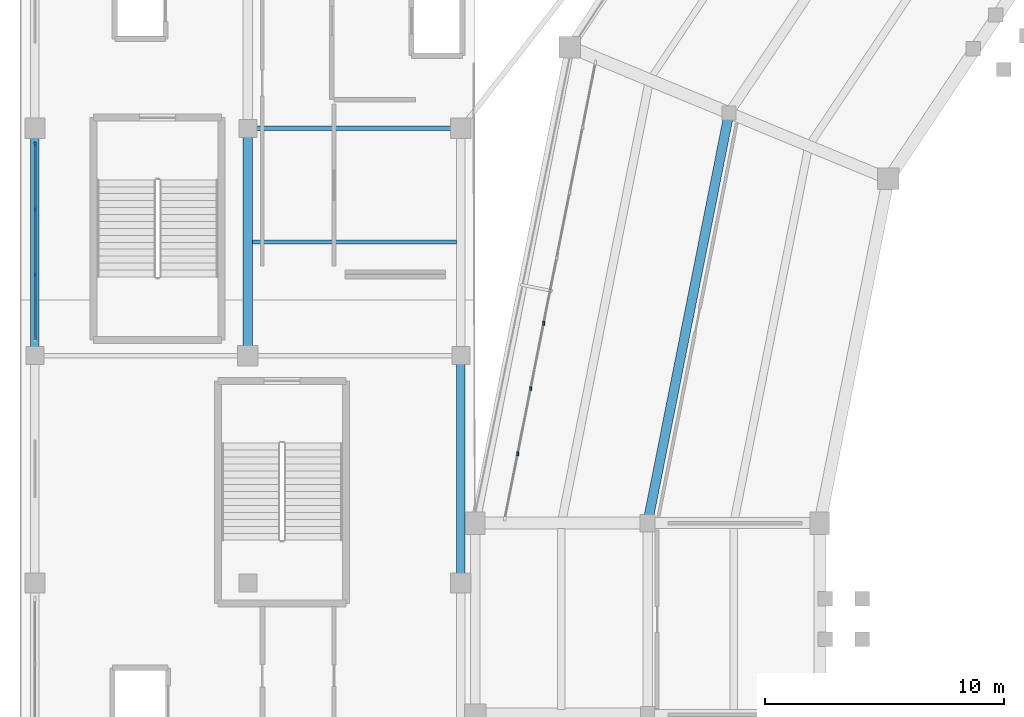
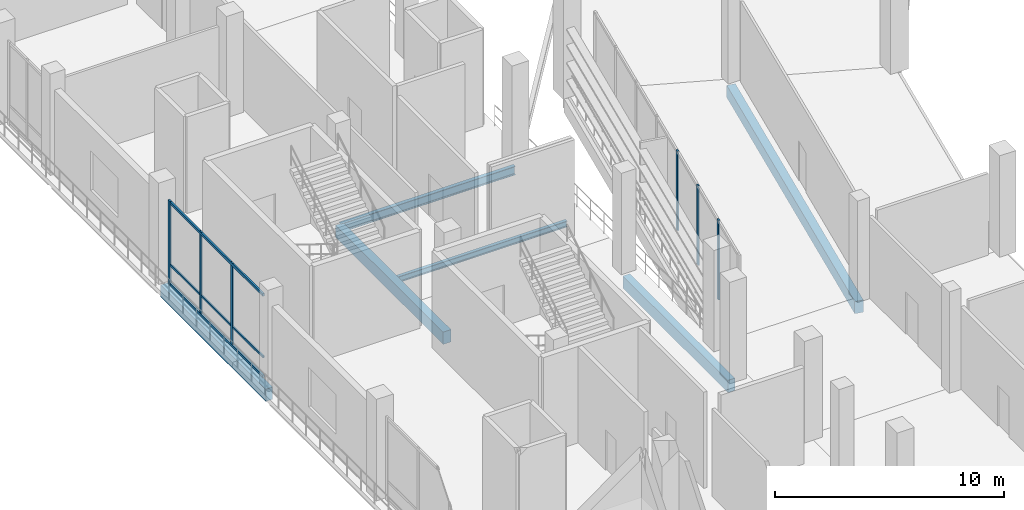
# One storey, part 29 of 114: 9 members, 6 beams, 2 elements without a shape of their own.
"""IFC4 building model written with IfcOpenShell, lengths in metres."""

from ifc_helpers import new_model, si_unit, direction, frame, origin, origin_2d, place, context, subcontext, project, spatial, rectangle, i_section, extrude, material, material_profile, profile_set, type_object, element, aggregate, save


model = new_model("IFC4")

# Units and contexts
model_context = context("Model", 3, precision=1e-05, world=origin(), true_north=direction((0.0, 1.0)))
body_context = subcontext(model_context, "Body", "Model", "MODEL_VIEW")
ifc_project = project(units=[si_unit("LENGTHUNIT", "METRE"), si_unit("AREAUNIT", "SQUARE_METRE"), si_unit("VOLUMEUNIT", "CUBIC_METRE"), si_unit("PLANEANGLEUNIT", "RADIAN"), si_unit("MASSUNIT", "GRAM", prefix="KILO")], contexts=[model_context])

# Site, building, storey
site_placement = place(None, origin())
site = spatial("IfcSite", under=ifc_project, at=site_placement, CompositionType="ELEMENT")
building_placement = place(site_placement, origin())
building = spatial("IfcBuilding", under=site, at=building_placement, Name="Candeia Ridge Stadium", CompositionType="ELEMENT")
storey_placement = place(building_placement, frame((0.0, 0.0, 5.39990234375)))
storey = spatial("IfcBuildingStorey", under=building, at=storey_placement, Name="L01", CompositionType="ELEMENT", Elevation=5.39990234375)

# Curtain wall, member
ifc_material_1 = material(Name="Aluminium Anodized Warm Bronze", Category="aluminium")
curtain_wall_type_1 = type_object("IfcCurtainWallType", Name="Cardinal Entrance Gate Tall Glazed Curtain Wall", PredefinedType="NOTDEFINED", material=ifc_material_1)
curtain_wall_1_placement = place(storey_placement, origin())
curtain_wall_1 = element("IfcCurtainWall", 1, at=curtain_wall_1_placement, inside=storey, type_object=curtain_wall_type_1, Name="Unitised curtain wall CW-WNG-L01-079", PredefinedType="NOTDEFINED")
ifc_material_profile_1 = material_profile(ifc_material_1, rectangle(XDim=0.090087890625, YDim=0.179931640625, at=origin_2d()), Name="CWM-90x180", Category="aluminium")
ifc_profile_set_1 = profile_set([ifc_material_profile_1], Name="Aluminium Anodized Warm Bronze")
member_type_1 = type_object("IfcMemberType", Name="Curtain Wall Primary Mullion 90x180", PredefinedType="MULLION", material=ifc_profile_set_1)
member_1_placement = place(storey_placement, frame((0.60009765625, 110.840087890625, 0.0), z_axis=(0.0, 0.0, 1.0), x_axis=(1.0, 0.0, 0.0)))
member_1 = element("IfcMember", 2, at=member_1_placement, type_object=member_type_1, Name="Curtain wall mullion CW-WNG-L01-079-M3", PredefinedType="MULLION", context=body_context, shape_type="SweptSolid", body=[
    extrude(rectangle(XDim=0.090087890625, YDim=0.179931640625, at=origin_2d()), origin(), (0.0, 0.0, 1.0), 4.47509765625),
])

# Curtain wall, members
curtain_wall_type_2 = type_object("IfcCurtainWallType", Name="Concourse Recessed Unitised Curtain Wall", PredefinedType="NOTDEFINED", material=ifc_material_1)
curtain_wall_2_placement = place(storey_placement, origin())
curtain_wall_2 = element("IfcCurtainWall", 3, at=curtain_wall_2_placement, inside=storey, type_object=curtain_wall_type_2, Name="Unitised curtain wall CW-BWL-L01-10", PredefinedType="NOTDEFINED")
ifc_material_profile_2 = material_profile(ifc_material_1, rectangle(XDim=0.074951171875, YDim=0.14990234375, at=origin_2d()), Name="CWM-75x150", Category="aluminium")
ifc_profile_set_2 = profile_set([ifc_material_profile_2], Name="Aluminium Anodized Warm Bronze")
member_type_2 = type_object("IfcMemberType", Name="Curtain Wall Secondary Mullion 75x150", PredefinedType="MULLION", material=ifc_profile_set_2)
member_2_placement = place(storey_placement, frame((21.8623046875, 103.356689453125, 0.0), z_axis=(0.0, 0.0, 1.0), x_axis=(1.0, 0.0, 0.0)))
member_2 = element("IfcMember", 4, at=member_2_placement, type_object=member_type_2, Name="Curtain wall mullion CW-BWL-L01-10-M4", PredefinedType="MULLION", context=body_context, shape_type="SweptSolid", body=[
    extrude(rectangle(XDim=0.074951171875, YDim=0.14990234375, at=origin_2d()), origin(), (0.0, 0.0, 1.0), 4.2451171875),
])
member_3_placement = place(storey_placement, frame((21.31982421875, 100.6298828125, 0.0), z_axis=(0.0, 0.0, 1.0), x_axis=(1.0, 0.0, 0.0)))
member_3 = element("IfcMember", 5, at=member_3_placement, type_object=member_type_2, Name="Curtain wall mullion CW-BWL-L01-10-M5", PredefinedType="MULLION", context=body_context, shape_type="SweptSolid", body=[
    extrude(rectangle(XDim=0.074951171875, YDim=0.14990234375, at=origin_2d()), origin(), (0.0, 0.0, 1.0), 4.2451171875),
])
member_4_placement = place(storey_placement, frame((20.777587890625, 97.9033203125, 0.0), z_axis=(0.0, 0.0, 1.0), x_axis=(1.0, 0.0, 0.0)))
member_4 = element("IfcMember", 6, at=member_4_placement, type_object=member_type_2, Name="Curtain wall mullion CW-BWL-L01-10-M6", PredefinedType="MULLION", context=body_context, shape_type="SweptSolid", body=[
    extrude(rectangle(XDim=0.074951171875, YDim=0.14990234375, at=origin_2d()), origin(), (0.0, 0.0, 1.0), 4.2451171875),
])
aggregate(curtain_wall_2, [member_2, member_3, member_4])

# Member
member_5_placement = place(storey_placement, frame((0.60009765625, 105.38671875, 0.0), z_axis=(0.0, 0.0, 1.0), x_axis=(1.0, 0.0, 0.0)))
member_5 = element("IfcMember", 7, at=member_5_placement, type_object=member_type_2, Name="Curtain wall mullion CW-WNG-L01-079-M1", PredefinedType="MULLION", context=body_context, shape_type="SweptSolid", body=[
    extrude(rectangle(XDim=0.074951171875, YDim=0.14990234375, at=origin_2d()), origin(), (0.0, 0.0, 1.0), 4.47509765625),
])

member_6_placement = place(storey_placement, frame((0.60009765625, 108.11328125, 0.0), z_axis=(0.0, 0.0, 1.0), x_axis=(1.0, 0.0, 0.0)))
member_6 = element("IfcMember", 8, at=member_6_placement, type_object=member_type_2, Name="Curtain wall mullion CW-WNG-L01-079-M2", PredefinedType="MULLION", context=body_context, shape_type="SweptSolid", body=[
    extrude(rectangle(XDim=0.074951171875, YDim=0.14990234375, at=origin_2d()), origin(), (0.0, 0.0, 1.0), 4.47509765625),
])

ifc_material_profile_3 = material_profile(ifc_material_1, rectangle(XDim=0.074951171875, YDim=0.110107421875, at=origin_2d()), Name="CWT-75x110", Category="aluminium")
ifc_profile_set_3 = profile_set([ifc_material_profile_3], Name="Aluminium Anodized Warm Bronze")
member_type_3 = type_object("IfcMemberType", Name="Curtain Wall Secondary Transom 75x110", PredefinedType="USERDEFINED", material=ifc_profile_set_3)
member_7_placement = place(storey_placement, frame((0.60009765625, 102.659912109375, 1.10009765625), z_axis=(0.0, 1.0, 0.0), x_axis=(-1.0, 0.0, 0.0)))
member_7 = element("IfcMember", 9, at=member_7_placement, type_object=member_type_3, Name="Curtain wall transom CW-WNG-L01-079-T1", ObjectType="TRANSOM", PredefinedType="USERDEFINED", context=body_context, shape_type="SweptSolid", body=[
    extrude(rectangle(XDim=0.074951171875, YDim=0.110107421875, at=origin_2d()), origin(), (0.0, 0.0, 1.0), 8.18017578125),
])

ifc_material_profile_4 = material_profile(ifc_material_1, rectangle(XDim=0.090087890625, YDim=0.139892578125, at=origin_2d()), Name="CWT-90x140", Category="aluminium")
ifc_profile_set_4 = profile_set([ifc_material_profile_4], Name="Aluminium Anodized Warm Bronze")
member_type_4 = type_object("IfcMemberType", Name="Curtain Wall Transom 90x140", PredefinedType="USERDEFINED", material=ifc_profile_set_4)
member_8_placement = place(storey_placement, frame((0.60009765625, 102.659912109375, 0.070068359375), z_axis=(0.0, 1.0, 0.0), x_axis=(-1.0, 0.0, 0.0)))
member_8 = element("IfcMember", 10, at=member_8_placement, type_object=member_type_4, Name="Curtain wall transom CW-WNG-L01-079-T0", ObjectType="TRANSOM", PredefinedType="USERDEFINED", context=body_context, shape_type="SweptSolid", body=[
    extrude(rectangle(XDim=0.090087890625, YDim=0.139892578125, at=origin_2d()), origin(), (0.0, 0.0, 1.0), 8.18017578125),
])

member_9_placement = place(storey_placement, frame((0.60009765625, 102.659912109375, 4.405029296875), z_axis=(0.0, 1.0, 0.0), x_axis=(-1.0, 0.0, 0.0)))
member_9 = element("IfcMember", 11, at=member_9_placement, type_object=member_type_4, Name="Curtain wall transom CW-WNG-L01-079-T2", ObjectType="TRANSOM", PredefinedType="USERDEFINED", context=body_context, shape_type="SweptSolid", body=[
    extrude(rectangle(XDim=0.090087890625, YDim=0.139892578125, at=origin_2d()), origin(), (0.0, 0.0, 1.0), 8.18017578125),
])

aggregate(curtain_wall_1, [member_5, member_6, member_1, member_8, member_7, member_9])

# Beams
ifc_material_2 = material(Name="Steel ASTM A572 Grade 50", Category="steel")
ifc_material_profile_5 = material_profile(ifc_material_2, i_section(OverallWidth=0.1669921875, OverallDepth=0.31689453125, WebThickness=0.007568359375, FlangeThickness=0.01318359375, FilletRadius=0.011962890625, at=origin_2d()), Name="W310x52", Category="steel")
ifc_profile_set_5 = profile_set([ifc_material_profile_5], Name="Steel ASTM A572 Grade 50")
beam_type_1 = type_object("IfcBeamType", Name="Pavilion Secondary Joist W310x52", PredefinedType="JOIST", material=ifc_profile_set_5)
beam_1_placement = place(storey_placement, frame((9.699462890625, 106.75, -0.41845703125), z_axis=(1.0, 0.0, 0.0), x_axis=(0.0, 1.0, 0.0)))
element("IfcBeam", 12, at=beam_1_placement, inside=storey, type_object=beam_type_1, Name="Wing secondary joist BM-L01-1104", PredefinedType="JOIST", context=body_context, shape_type="SweptSolid", body=[
    extrude(i_section(OverallWidth=0.1669921875, OverallDepth=0.31689453125, WebThickness=0.007568359375, FlangeThickness=0.01318359375, FilletRadius=0.011962890625, at=origin_2d()), origin(), (0.0, 0.0, 1.0), 8.526123046875),
])
ifc_material_profile_6 = material_profile(ifc_material_2, i_section(OverallWidth=0.18994140625, OverallDepth=0.45703125, WebThickness=0.009033203125, FlangeThickness=0.014404296875, FilletRadius=0.012939453125, at=origin_2d()), Name="W460x74", Category="steel")
ifc_profile_set_6 = profile_set([ifc_material_profile_6], Name="Steel ASTM A572 Grade 50")
beam_type_2 = type_object("IfcBeamType", Name="Pavilion Steel Girder W460x74", PredefinedType="BEAM", material=ifc_profile_set_6)
beam_2_placement = place(storey_placement, frame((9.550048828125, 111.5, -0.48828125), z_axis=(1.0, 0.0, 0.0), x_axis=(0.0, 1.0, 0.0)))
element("IfcBeam", 13, at=beam_2_placement, inside=storey, type_object=beam_type_2, Name="Structural girder BM-L01-1105", PredefinedType="BEAM", context=body_context, shape_type="SweptSolid", body=[
    extrude(i_section(OverallWidth=0.18994140625, OverallDepth=0.45703125, WebThickness=0.009033203125, FlangeThickness=0.014404296875, FilletRadius=0.012939453125, at=origin_2d()), origin(), (0.0, 0.0, 1.0), 8.800048828125),
])
ifc_material_3 = material(Name="Concrete C40/50", Category="concrete")
ifc_material_profile_7 = material_profile(ifc_material_3, rectangle(XDim=0.35009765625, YDim=0.64990234375, at=origin_2d()), Name="RC350x650", Category="concrete")
ifc_profile_set_7 = profile_set([ifc_material_profile_7], Name="Concrete C40/50")
beam_type_3 = type_object("IfcBeamType", Name="Spandrel Beam RC350x650", PredefinedType="SPANDREL", material=ifc_profile_set_7)
for number, where, z_axis, x_axis, name in (
    (14, (0.60009765625, 102.159912109375, -0.5849609375), (0.0, 1.0, 0.0), (-1.0, 0.0, 0.0), "Structural girder BM-L01-1042"),
    (15, (18.39990234375, 92.659912109375, -0.5849609375), (0.0, 1.0, 0.0), (-1.0, 0.0, 0.0), "Structural girder BM-L01-1066"),
):
    element("IfcBeam", number, at=place(storey_placement, frame(where, z_axis=z_axis, x_axis=x_axis)), inside=storey, type_object=beam_type_3, Name=name, PredefinedType="SPANDREL", context=body_context, shape_type="SweptSolid", body=[
        extrude(rectangle(XDim=0.35009765625, YDim=0.64990234375, at=origin_2d()), origin(), (0.0, 0.0, 1.0), 9.18017578125),
    ])
ifc_material_profile_8 = material_profile(ifc_material_3, rectangle(XDim=0.39990234375, YDim=0.64990234375, at=origin_2d()), Name="RC400x650", Category="concrete")
ifc_profile_set_8 = profile_set([ifc_material_profile_8], Name="Concrete C40/50")
beam_type_4 = type_object("IfcBeamType", Name="Wing Primary Girder RC400x650", PredefinedType="BEAM", material=ifc_profile_set_8)
beam_3_placement = place(storey_placement, frame((29.600341796875, 112.09521484375, -0.5849609375), z_axis=(-0.195086803319, -0.980785980309, 0.0), x_axis=(0.980785980309, -0.195086803319, 0.0)))
element("IfcBeam", 16, at=beam_3_placement, inside=storey, type_object=beam_type_4, Name="Concourse spine girder BM-L01-0119", PredefinedType="BEAM", context=body_context, shape_type="SweptSolid", body=[
    extrude(rectangle(XDim=0.39990234375, YDim=0.64990234375, at=origin_2d()), origin(), (0.0, 0.0, 1.0), 17.380126953125),
])
beam_4_placement = place(storey_placement, frame((9.5, 102.050048828125, -0.5849609375), z_axis=(0.0, 1.0, 0.0), x_axis=(-1.0, 0.0, 0.0)))
element("IfcBeam", 17, at=beam_4_placement, inside=storey, type_object=beam_type_4, Name="Structural girder BM-L01-1054", PredefinedType="BEAM", context=body_context, shape_type="SweptSolid", body=[
    extrude(rectangle(XDim=0.39990234375, YDim=0.64990234375, at=origin_2d()), origin(), (0.0, 0.0, 1.0), 9.39990234375),
])

save(model, "model.ifc")
